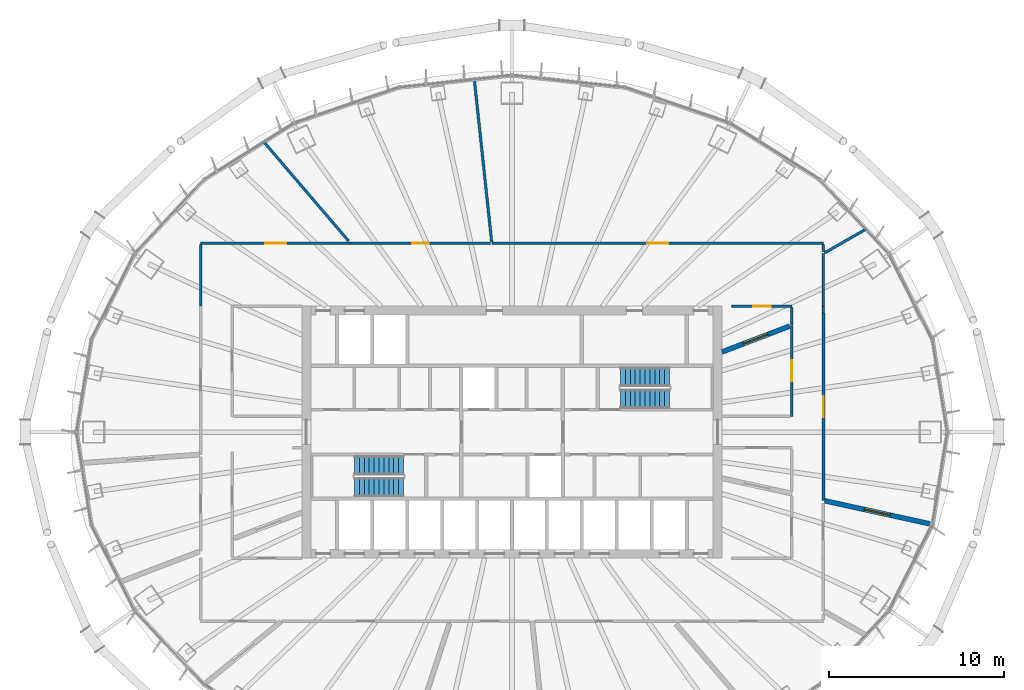
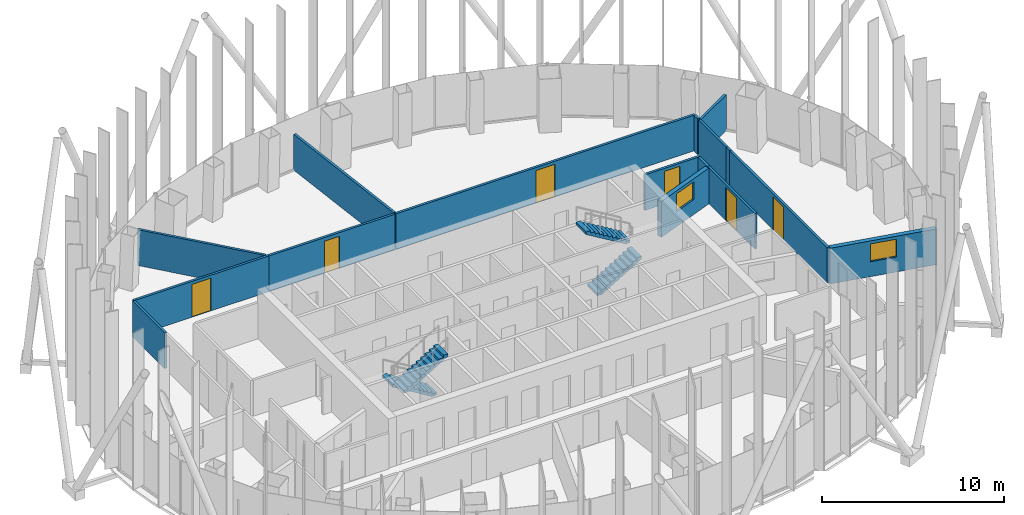
# One storey, part 11 of 19: 16 walls, 6 doors, 4 stair flights, 2 windows, 8 openings, 2 elements without a shape of their own.
"""IFC4 building model written with IfcOpenShell, lengths in metres."""

from ifc_helpers import new_model, si_unit, direction, frame, frame_2d, origin, place, context, subcontext, project, spatial, polyline, rectangle, outline, extrude, material, layer, layer_set, type_object, element, fill, aggregate, save


model = new_model("IFC4")

# Units and contexts
model_context = context("Model", 3, precision=1e-05, world=origin(), true_north=direction((0.0, 1.0)))
body_context = subcontext(model_context, "Body", "Model", "MODEL_VIEW")
ifc_project = project(units=[si_unit("LENGTHUNIT", "METRE"), si_unit("AREAUNIT", "SQUARE_METRE"), si_unit("VOLUMEUNIT", "CUBIC_METRE"), si_unit("PLANEANGLEUNIT", "RADIAN"), si_unit("MASSUNIT", "GRAM", prefix="KILO")], contexts=[model_context])

# Site, building, storey
site_placement = place(None, origin())
site = spatial("IfcSite", under=ifc_project, at=site_placement, CompositionType="ELEMENT")
building_placement = place(site_placement, origin())
building = spatial("IfcBuilding", under=site, at=building_placement, Name="Siaravel Broadcast Tower", CompositionType="ELEMENT")
storey_placement = place(building_placement, frame((0.0, 0.0, 130.39990234375)))
storey = spatial("IfcBuildingStorey", under=building, at=storey_placement, Name="L31", CompositionType="ELEMENT", Elevation=130.39990234375)

# Wall, opening, window
ifc_material_1 = material(Name="Double-leaf acoustic partition", Category="gypsum")
ifc_layer_1 = layer(ifc_material_1, 0.280029296875)
ifc_layer_set_1 = layer_set([ifc_layer_1], Name="Double-leaf acoustic partition")
wall_type_1 = type_object("IfcWallType", Name="Acoustic double-leaf wall 280", PredefinedType="PARTITIONING", material=ifc_layer_set_1)
wall_1_placement = place(storey_placement, frame((23.8720703125, -5.2373046875, 0.0), z_axis=(0.0, 0.0, 1.0), x_axis=(-0.976758154, 0.214344371, 0.0)))
wall_1 = element("IfcWall", 1, at=wall_1_placement, inside=storey, type_object=wall_type_1, Name="L31 partition 16", PredefinedType="PARTITIONING", context=body_context, shape_type="SweptSolid", body=[
    extrude(rectangle(XDim=6.13916015625, YDim=0.280029296875, at=frame_2d((3.069580078125, 0.0))), origin(), (0.0, 0.0, 1.0), 2.400146484375),
])
opening_1_placement = place(wall_1_placement, frame((2.319580078125, 0.0, 1.0)))
opening_1 = element("IfcOpeningElement", 2, at=opening_1_placement, cuts=wall_1, Name="Opening L31-W07", PredefinedType="OPENING", context=body_context, shape_type="SweptSolid", body=[
    extrude(rectangle(XDim=1.5, YDim=1.199951171875, at=frame_2d((0.75, 0.60009765625))), frame((0.0, 0.14990234375, 0.0), z_axis=(0.0, -1.0, 0.0), x_axis=(1.0, 0.0, 0.0)), (0.0, 0.0, 1.0), 0.300048828125),
])
ifc_material_2 = material(Name="Laminated acoustic glass", Category="glass")
window_type = type_object("IfcWindowType", Name="Studio viewing window 1500", PartitioningType="SINGLE_PANEL", PredefinedType="WINDOW", material=ifc_material_2)
window_1_placement = place(opening_1_placement, origin())
window_1 = element("IfcWindow", 3, at=window_1_placement, inside=storey, type_object=window_type, Name="L31 viewing window to Viewing theatre", OverallHeight=1.199951171875, OverallWidth=1.5, PartitioningType="SINGLE_PANEL", PredefinedType="WINDOW", context=body_context, shape_type="SweptSolid", body=[
    extrude(rectangle(XDim=1.5, YDim=1.199951171875, at=frame_2d((0.75, 0.60009765625))), frame((0.0, 0.030029296875, 0.0), z_axis=(0.0, -1.0, 0.0), x_axis=(1.0, 0.0, 0.0)), (0.0, 0.0, 1.0), 0.06005859375),
])
fill(opening_1, window_1)

wall_2_placement = place(storey_placement, frame((15.873291015625, 6.06298828125, 0.0), z_axis=(0.0, 0.0, 1.0), x_axis=(-0.934170215, -0.356827703, 0.0)))
wall_2 = element("IfcWall", 4, at=wall_2_placement, inside=storey, type_object=wall_type_1, Name="L31 partition 25", PredefinedType="PARTITIONING", context=body_context, shape_type="SweptSolid", body=[
    extrude(rectangle(XDim=4.146240234375, YDim=0.280029296875, at=frame_2d((2.0732421875, 0.0))), origin(), (0.0, 0.0, 1.0), 2.400146484375),
])
opening_2_placement = place(wall_2_placement, frame((1.322998046875, 0.0, 1.0)))
opening_2 = element("IfcOpeningElement", 5, at=opening_2_placement, cuts=wall_2, Name="Opening L31-W08", PredefinedType="OPENING", context=body_context, shape_type="SweptSolid", body=[
    extrude(rectangle(XDim=1.5, YDim=1.199951171875, at=frame_2d((0.75, 0.60009765625))), frame((0.0, 0.14990234375, 0.0), z_axis=(0.0, -1.0, 0.0), x_axis=(1.0, 0.0, 0.0)), (0.0, 0.0, 1.0), 0.300048828125),
])
window_2_placement = place(opening_2_placement, origin())
window_2 = element("IfcWindow", 6, at=window_2_placement, inside=storey, type_object=window_type, Name="L31 viewing window to Post-production room", OverallHeight=1.199951171875, OverallWidth=1.5, PartitioningType="SINGLE_PANEL", PredefinedType="WINDOW", context=body_context, shape_type="SweptSolid", body=[
    extrude(rectangle(XDim=1.5, YDim=1.199951171875, at=frame_2d((0.75, 0.60009765625))), frame((0.0, 0.030029296875, 0.0), z_axis=(0.0, -1.0, 0.0), x_axis=(1.0, 0.0, 0.0)), (0.0, 0.0, 1.0), 0.06005859375),
])
fill(opening_2, window_2)

# Wall, opening, door
ifc_material_3 = material(Name="Gypsum board partition", Category="gypsum")
ifc_layer_2 = layer(ifc_material_3, 0.14990234375)
ifc_layer_set_2 = layer_set([ifc_layer_2], Name="Gypsum board partition")
wall_type_2 = type_object("IfcWallType", Name="Corridor wall 150", PredefinedType="PARTITIONING", material=ifc_layer_set_2)
wall_3_placement = place(storey_placement, frame((17.800048828125, 10.800048828125, 0.0), z_axis=(0.0, 0.0, 1.0), x_axis=(-1.0, 0.0, 0.0)))
wall_3 = element("IfcWall", 7, at=wall_3_placement, inside=storey, type_object=wall_type_2, Name="L31 partition 1", PredefinedType="PARTITIONING", context=body_context, shape_type="SweptSolid", body=[
    extrude(rectangle(XDim=18.95361328125, YDim=0.14990234375, at=frame_2d((9.476806640625, 0.0))), origin(), (0.0, 0.0, 1.0), 2.400146484375),
])
opening_3_placement = place(wall_3_placement, frame((8.876708984375, 0.0, 0.0)))
opening_3 = element("IfcOpeningElement", 8, at=opening_3_placement, cuts=wall_3, Name="Opening L31-001", PredefinedType="OPENING", context=body_context, shape_type="SweptSolid", body=[
    extrude(rectangle(XDim=1.199951171875, YDim=2.199951171875, at=frame_2d((0.60009765625, 1.10009765625))), frame((0.0, 0.0849609375, 0.0), z_axis=(0.0, -1.0, 0.0), x_axis=(1.0, 0.0, 0.0)), (0.0, 0.0, 1.0), 0.169921875),
])
ifc_material_4 = material(Name="Timber veneer", Category="wood")
door_type_1 = type_object("IfcDoorType", Name="Office double door 1200", OperationType="DOUBLE_DOOR_SINGLE_SWING", PredefinedType="DOOR", material=ifc_material_4)
door_1_placement = place(opening_3_placement, origin())
door_1 = element("IfcDoor", 9, at=door_1_placement, inside=storey, type_object=door_type_1, Name="L31 door to Open plan production office", OperationType="DOUBLE_DOOR_SINGLE_SWING", OverallHeight=2.199951171875, OverallWidth=1.199951171875, PredefinedType="DOOR", context=body_context, shape_type="SweptSolid", body=[
    extrude(rectangle(XDim=1.199951171875, YDim=2.199951171875, at=frame_2d((0.60009765625, 1.10009765625))), frame((0.0, 0.02490234375, 0.0), z_axis=(0.0, -1.0, 0.0), x_axis=(1.0, 0.0, 0.0)), (0.0, 0.0, 1.0), 0.050048828125),
])
fill(opening_3, door_1)

wall_4_placement = place(storey_placement, frame((17.802001953125, -3.9052734375, 0.0), z_axis=(0.0, 0.0, 1.0), x_axis=(0.0, 1.0, 0.0)))
wall_4 = element("IfcWall", 10, at=wall_4_placement, inside=storey, type_object=wall_type_2, Name="L31 partition 2", PredefinedType="PARTITIONING", context=body_context, shape_type="SweptSolid", body=[
    extrude(rectangle(XDim=10.705078125, YDim=0.14990234375, at=frame_2d((5.3525390625, 0.0))), origin(), (0.0, 0.0, 1.0), 2.400146484375),
])
opening_4_placement = place(wall_4_placement, frame((4.75244140625, 0.0, 0.0)))
opening_4 = element("IfcOpeningElement", 11, at=opening_4_placement, cuts=wall_4, Name="Opening L31-018", PredefinedType="OPENING", context=body_context, shape_type="SweptSolid", body=[
    extrude(rectangle(XDim=1.199951171875, YDim=2.199951171875, at=frame_2d((0.60009765625, 1.10009765625))), frame((0.0, 0.0849609375, 0.0), z_axis=(0.0, -1.0, 0.0), x_axis=(1.0, 0.0, 0.0)), (0.0, 0.0, 1.0), 0.169921875),
])
door_2_placement = place(opening_4_placement, origin())
door_2 = element("IfcDoor", 12, at=door_2_placement, inside=storey, type_object=door_type_1, Name="L31 door to Open plan production office", OperationType="DOUBLE_DOOR_SINGLE_SWING", OverallHeight=2.199951171875, OverallWidth=1.199951171875, PredefinedType="DOOR", context=body_context, shape_type="SweptSolid", body=[
    extrude(rectangle(XDim=1.199951171875, YDim=2.199951171875, at=frame_2d((0.60009765625, 1.10009765625))), frame((0.0, 0.02490234375, 0.0), z_axis=(0.0, -1.0, 0.0), x_axis=(1.0, 0.0, 0.0)), (0.0, 0.0, 1.0), 0.050048828125),
])
fill(opening_4, door_2)

wall_5_placement = place(storey_placement, frame((-9.232177734375, 10.800048828125, 0.0), z_axis=(0.0, 0.0, 1.0), x_axis=(-1.0, 0.0, 0.0)))
wall_5 = element("IfcWall", 13, at=wall_5_placement, inside=storey, type_object=wall_type_2, Name="L31 partition 7", PredefinedType="PARTITIONING", context=body_context, shape_type="SweptSolid", body=[
    extrude(rectangle(XDim=8.56787109375, YDim=0.14990234375, at=frame_2d((4.283935546875, 0.0))), origin(), (0.0, 0.0, 1.0), 2.400146484375),
])
opening_5_placement = place(wall_5_placement, frame((3.683837890625, 0.0, 0.0)))
opening_5 = element("IfcOpeningElement", 14, at=opening_5_placement, cuts=wall_5, Name="Opening L31-003", PredefinedType="OPENING", context=body_context, shape_type="SweptSolid", body=[
    extrude(rectangle(XDim=1.199951171875, YDim=2.199951171875, at=frame_2d((0.60009765625, 1.10009765625))), frame((0.0, 0.0849609375, 0.0), z_axis=(0.0, -1.0, 0.0), x_axis=(1.0, 0.0, 0.0)), (0.0, 0.0, 1.0), 0.169921875),
])
door_3_placement = place(opening_5_placement, origin())
door_3 = element("IfcDoor", 15, at=door_3_placement, inside=storey, type_object=door_type_1, Name="L31 door to Open plan production office", OperationType="DOUBLE_DOOR_SINGLE_SWING", OverallHeight=2.199951171875, OverallWidth=1.199951171875, PredefinedType="DOOR", context=body_context, shape_type="SweptSolid", body=[
    extrude(rectangle(XDim=1.199951171875, YDim=2.199951171875, at=frame_2d((0.60009765625, 1.10009765625))), frame((0.0, 0.02490234375, 0.0), z_axis=(0.0, -1.0, 0.0), x_axis=(1.0, 0.0, 0.0)), (0.0, 0.0, 1.0), 0.050048828125),
])
fill(opening_5, door_3)

wall_6_placement = place(storey_placement, frame((-1.239013671875, 10.800048828125, 0.0), z_axis=(0.0, 0.0, 1.0), x_axis=(-1.0, 0.0, 0.0)))
wall_6 = element("IfcWall", 16, at=wall_6_placement, inside=storey, type_object=wall_type_2, Name="L31 partition 10", PredefinedType="PARTITIONING", context=body_context, shape_type="SweptSolid", body=[
    extrude(rectangle(XDim=7.9921875, YDim=0.14990234375, at=frame_2d((3.99609375, 0.0))), origin(), (0.0, 0.0, 1.0), 2.400146484375),
])
opening_6_placement = place(wall_6_placement, frame((3.52099609375, 0.0, 0.0)))
opening_6 = element("IfcOpeningElement", 17, at=opening_6_placement, cuts=wall_6, Name="Opening L31-002", PredefinedType="OPENING", context=body_context, shape_type="SweptSolid", body=[
    extrude(rectangle(XDim=0.949951171875, YDim=2.14990234375, at=frame_2d((0.47509765625, 1.074951171875))), frame((0.0, 0.0849609375, 0.0), z_axis=(0.0, -1.0, 0.0), x_axis=(1.0, 0.0, 0.0)), (0.0, 0.0, 1.0), 0.169921875),
])
door_type_2 = type_object("IfcDoorType", Name="Office door 950", OperationType="SINGLE_SWING_LEFT", PredefinedType="DOOR", material=ifc_material_4)
door_4_placement = place(opening_6_placement, origin())
door_4 = element("IfcDoor", 18, at=door_4_placement, inside=storey, type_object=door_type_2, Name="L31 door to Design studio", OperationType="SINGLE_SWING_RIGHT", OverallHeight=2.14990234375, OverallWidth=0.949951171875, PredefinedType="DOOR", context=body_context, shape_type="SweptSolid", body=[
    extrude(rectangle(XDim=0.949951171875, YDim=2.14990234375, at=frame_2d((0.47509765625, 1.074951171875))), frame((0.0, 0.02490234375, 0.0), z_axis=(0.0, -1.0, 0.0), x_axis=(1.0, 0.0, 0.0)), (0.0, 0.0, 1.0), 0.050048828125),
])
fill(opening_6, door_4)

wall_7_placement = place(storey_placement, frame((16.0, 6.111328125, 0.0), z_axis=(0.0, 0.0, 1.0), x_axis=(0.0, -1.0, 0.0)))
wall_7 = element("IfcWall", 19, at=wall_7_placement, inside=storey, type_object=wall_type_2, Name="L31 partition 19", PredefinedType="PARTITIONING", context=body_context, shape_type="SweptSolid", body=[
    extrude(rectangle(XDim=5.21142578125, YDim=0.14990234375, at=frame_2d((2.605712890625, 0.0))), origin(), (0.0, 0.0, 1.0), 2.400146484375),
])
opening_7_placement = place(wall_7_placement, frame((2.005615234375, 0.0, 0.0)))
opening_7 = element("IfcOpeningElement", 20, at=opening_7_placement, cuts=wall_7, Name="Opening L31-016", PredefinedType="OPENING", context=body_context, shape_type="SweptSolid", body=[
    extrude(rectangle(XDim=1.199951171875, YDim=2.199951171875, at=frame_2d((0.60009765625, 1.10009765625))), frame((0.0, 0.0849609375, 0.0), z_axis=(0.0, -1.0, 0.0), x_axis=(1.0, 0.0, 0.0)), (0.0, 0.0, 1.0), 0.169921875),
])
door_5_placement = place(opening_7_placement, origin())
door_5 = element("IfcDoor", 21, at=door_5_placement, inside=storey, type_object=door_type_1, Name="L31 door to Open plan production office", OperationType="DOUBLE_DOOR_SINGLE_SWING", OverallHeight=2.199951171875, OverallWidth=1.199951171875, PredefinedType="DOOR", context=body_context, shape_type="SweptSolid", body=[
    extrude(rectangle(XDim=1.199951171875, YDim=2.199951171875, at=frame_2d((0.60009765625, 1.10009765625))), frame((0.0, 0.02490234375, 0.0), z_axis=(0.0, -1.0, 0.0), x_axis=(1.0, 0.0, 0.0)), (0.0, 0.0, 1.0), 0.050048828125),
])
fill(opening_7, door_5)

# Wall
wall_8_placement = place(storey_placement, frame((-17.800048828125, 10.722900390625, 0.0), z_axis=(0.0, 0.0, 1.0), x_axis=(0.0, -1.0, 0.0)))
element("IfcWall", 22, at=wall_8_placement, inside=storey, type_object=wall_type_2, Name="L31 partition 34", PredefinedType="PARTITIONING", context=body_context, shape_type="SweptSolid", body=[
    extrude(rectangle(XDim=3.510009765625, YDim=0.14990234375, at=frame_2d((1.7548828125, 0.0))), origin(), (0.0, 0.0, 1.0), 2.400146484375),
])

# Wall, opening, door
wall_9_placement = place(storey_placement, frame((12.553466796875, 7.199951171875, 0.0), z_axis=(0.0, 0.0, 1.0), x_axis=(1.0, 0.0, 0.0)))
wall_9 = element("IfcWall", 23, at=wall_9_placement, inside=storey, type_object=wall_type_2, Name="L31 partition 35", PredefinedType="PARTITIONING", context=body_context, shape_type="SweptSolid", body=[
    extrude(rectangle(XDim=3.446533203125, YDim=0.14990234375, at=frame_2d((1.72314453125, 0.0))), origin(), (0.0, 0.0, 1.0), 2.400146484375),
])
opening_8_placement = place(wall_9_placement, frame((1.223388671875, 0.0, 0.0)))
opening_8 = element("IfcOpeningElement", 24, at=opening_8_placement, cuts=wall_9, Name="Opening L31-019", PredefinedType="OPENING", context=body_context, shape_type="SweptSolid", body=[
    extrude(rectangle(XDim=1.0, YDim=2.199951171875, at=frame_2d((0.5, 1.10009765625))), frame((0.0, 0.0849609375, 0.0), z_axis=(0.0, -1.0, 0.0), x_axis=(1.0, 0.0, 0.0)), (0.0, 0.0, 1.0), 0.169921875),
])
ifc_material_5 = material(Name="Acoustic timber and steel", Category="steel")
door_type_3 = type_object("IfcDoorType", Name="Acoustic door 1000", OperationType="SINGLE_SWING_LEFT", PredefinedType="DOOR", material=ifc_material_5)
door_6_placement = place(opening_8_placement, origin())
door_6 = element("IfcDoor", 25, at=door_6_placement, inside=storey, type_object=door_type_3, Name="L31 door to Post-production room", OperationType="SINGLE_SWING_LEFT", OverallHeight=2.199951171875, OverallWidth=1.0, PredefinedType="DOOR", context=body_context, shape_type="SweptSolid", body=[
    extrude(rectangle(XDim=1.0, YDim=2.199951171875, at=frame_2d((0.5, 1.10009765625))), frame((0.0, 0.02490234375, 0.0), z_axis=(0.0, -1.0, 0.0), x_axis=(1.0, 0.0, 0.0)), (0.0, 0.0, 1.0), 0.050048828125),
])
fill(opening_8, door_6)

# Walls
wall_10_placement = place(storey_placement, frame((17.800048828125, 7.18798828125, 0.0), z_axis=(0.0, 0.0, 1.0), x_axis=(0.0, 1.0, 0.0)))
element("IfcWall", 26, at=wall_10_placement, inside=storey, type_object=wall_type_2, Name="L31 partition 39", PredefinedType="PARTITIONING", context=body_context, shape_type="SweptSolid", body=[
    extrude(rectangle(XDim=3.021240234375, YDim=0.14990234375, at=frame_2d((1.5107421875, 0.0))), origin(), (0.0, 0.0, 1.0), 2.400146484375),
])
wall_11_placement = place(storey_placement, frame((16.0, 7.123046875, 0.0), z_axis=(0.0, 0.0, 1.0), x_axis=(0.0, -1.0, 0.0)))
element("IfcWall", 27, at=wall_11_placement, inside=storey, type_object=wall_type_2, Name="L31 partition 44", PredefinedType="PARTITIONING", context=body_context, shape_type="SweptSolid", body=[
    extrude(rectangle(XDim=1.0107421875, YDim=0.14990234375, at=frame_2d((0.50537109375, 0.0))), origin(), (0.0, 0.0, 1.0), 2.400146484375),
])
wall_12_placement = place(storey_placement, frame((17.800048828125, 10.3408203125, 0.0), z_axis=(0.0, 0.0, 1.0), x_axis=(0.0, 1.0, 0.0)))
element("IfcWall", 28, at=wall_12_placement, inside=storey, type_object=wall_type_2, Name="L31 partition 46", PredefinedType="PARTITIONING", context=body_context, shape_type="SweptSolid", body=[
    extrude(rectangle(XDim=0.382080078125, YDim=0.14990234375, at=frame_2d((0.19091796875, 0.0))), origin(), (0.0, 0.0, 1.0), 2.400146484375),
])
wall_13_placement = place(storey_placement, frame((17.800048828125, 6.798828125, 0.0), z_axis=(0.0, 0.0, 1.0), x_axis=(0.0, 1.0, 0.0)))
element("IfcWall", 29, at=wall_13_placement, inside=storey, type_object=wall_type_2, Name="L31 partition 48", PredefinedType="PARTITIONING", context=body_context, shape_type="SweptSolid", body=[
    extrude(rectangle(XDim=0.38818359375, YDim=0.14990234375, at=frame_2d((0.194091796875, 0.0))), origin(), (0.0, 0.0, 1.0), 2.400146484375),
])
ifc_layer_3 = layer(ifc_material_3, 0.14990234375)
ifc_layer_set_3 = layer_set([ifc_layer_3], Name="Gypsum board partition")
wall_type_3 = type_object("IfcWallType", Name="Room partition 150", PredefinedType="PARTITIONING", material=ifc_layer_set_3)
wall_14_placement = place(storey_placement, frame((-2.152099609375, 20.147705078125, 0.0), z_axis=(0.0, 0.0, 1.0), x_axis=(0.106226181, -0.994341993, 0.0)))
element("IfcWall", 30, at=wall_14_placement, inside=storey, type_object=wall_type_3, Name="L31 partition 4", PredefinedType="PARTITIONING", context=body_context, shape_type="SweptSolid", body=[
    extrude(rectangle(XDim=9.32421875, YDim=0.14990234375, at=frame_2d((4.662109375, 0.0))), origin(), (0.0, 0.0, 1.0), 2.400146484375),
])
wall_15_placement = place(storey_placement, frame((-14.1669921875, 16.572998046875, 0.0), z_axis=(0.0, 0.0, 1.0), x_axis=(0.64976247, -0.760137312, 0.0)))
element("IfcWall", 31, at=wall_15_placement, inside=storey, type_object=wall_type_3, Name="L31 partition 12", PredefinedType="PARTITIONING", context=body_context, shape_type="SweptSolid", body=[
    extrude(rectangle(XDim=7.429931640625, YDim=0.14990234375, at=frame_2d((3.71484375, 0.0))), origin(), (0.0, 0.0, 1.0), 2.400146484375),
])
wall_16_placement = place(storey_placement, frame((17.858154296875, 10.24267578125, 0.0), z_axis=(0.0, 0.0, 1.0), x_axis=(0.867454205, 0.497517037, 0.0)))
element("IfcWall", 32, at=wall_16_placement, inside=storey, type_object=wall_type_3, Name="L31 partition 40", PredefinedType="PARTITIONING", context=body_context, shape_type="SweptSolid", body=[
    extrude(rectangle(XDim=2.74609375, YDim=0.14990234375, at=frame_2d((1.373046875, 0.0))), origin(), (0.0, 0.0, 1.0), 2.400146484375),
])

# Stair, stair flights
ifc_material_6 = material(Name="Concrete C40/50", Category="concrete")
stair_type = type_object("IfcStairType", Name="Core exit stair", PredefinedType="HALF_TURN_STAIR", material=ifc_material_6)
stair_1_placement = place(storey_placement, origin())
stair_1 = element("IfcStair", 33, at=stair_1_placement, inside=storey, type_object=stair_type, Name="L31 Exit stair ST-1", PredefinedType="HALF_TURN_STAIR")
stair_flight_type = type_object("IfcStairFlightType", Name="Stair flight 1100", PredefinedType="STRAIGHT", material=ifc_material_6)
stair_flight_1_placement = place(storey_placement, frame((-6.199951171875, -1.89990234375, 0.0), z_axis=(0.0, 0.0, 1.0), x_axis=(-1.0, 0.0, 0.0)))
stair_flight_1 = element("IfcStairFlight", 34, at=stair_flight_1_placement, type_object=stair_flight_type, Name="ST-1 flight 1", NumberOfRisers=11, NumberOfTreads=10, PredefinedType="STRAIGHT", RiserHeight=0.1681818, TreadLength=0.28, context=body_context, shape_type="SweptSolid", body=[
    extrude(outline(polyline([(0.0, 0.0), (0.0, 0.168212890625), (0.280029296875, 0.168212890625), (0.280029296875, 0.33642578125), (0.56005859375, 0.33642578125), (0.56005859375, 0.504638671875), (0.840087890625, 0.504638671875), (0.840087890625, 0.672607421875), (1.1201171875, 0.672607421875), (1.1201171875, 0.8408203125), (1.39990234375, 0.8408203125), (1.39990234375, 1.009033203125), (1.679931640625, 1.009033203125), (1.679931640625, 1.17724609375), (1.9599609375, 1.17724609375), (1.9599609375, 1.345458984375), (2.239990234375, 1.345458984375), (2.239990234375, 1.513671875), (2.52001953125, 1.513671875), (2.52001953125, 1.681884765625), (2.800048828125, 1.681884765625), (2.800048828125, 1.85009765625), (2.800048828125, 1.5068359375), (0.291015625, 0.0), (0.0, 0.0)])), frame((0.0, 0.550048828125, 0.0), z_axis=(0.0, -1.0, 0.0), x_axis=(1.0, 0.0, 0.0)), (0.0, 0.0, 1.0), 1.10009765625),
])
stair_flight_2_placement = place(storey_placement, frame((-9.0, -3.14990234375, 1.85009765625), z_axis=(0.0, 0.0, 1.0), x_axis=(1.0, 0.0, 0.0)))
stair_flight_2 = element("IfcStairFlight", 35, at=stair_flight_2_placement, type_object=stair_flight_type, Name="ST-1 flight 2", NumberOfRisers=11, NumberOfTreads=10, PredefinedType="STRAIGHT", RiserHeight=0.1681818, TreadLength=0.28, context=body_context, shape_type="SweptSolid", body=[
    extrude(outline(polyline([(0.0, 0.0), (0.0, 0.168212890625), (0.280029296875, 0.168212890625), (0.280029296875, 0.33642578125), (0.56005859375, 0.33642578125), (0.56005859375, 0.504638671875), (0.840087890625, 0.504638671875), (0.840087890625, 0.672607421875), (1.1201171875, 0.672607421875), (1.1201171875, 0.8408203125), (1.39990234375, 0.8408203125), (1.39990234375, 1.009033203125), (1.679931640625, 1.009033203125), (1.679931640625, 1.17724609375), (1.9599609375, 1.17724609375), (1.9599609375, 1.345458984375), (2.239990234375, 1.345458984375), (2.239990234375, 1.513671875), (2.52001953125, 1.513671875), (2.52001953125, 1.681884765625), (2.800048828125, 1.681884765625), (2.800048828125, 1.85009765625), (2.800048828125, 1.5068359375), (0.291015625, 0.0), (0.0, 0.0)])), frame((0.0, 0.550048828125, 0.0), z_axis=(0.0, -1.0, 0.0), x_axis=(1.0, 0.0, 0.0)), (0.0, 0.0, 1.0), 1.10009765625),
])
aggregate(stair_1, [stair_flight_1, stair_flight_2])

stair_2_placement = place(storey_placement, origin())
stair_2 = element("IfcStair", 36, at=stair_2_placement, inside=storey, type_object=stair_type, Name="L31 Exit stair ST-2", PredefinedType="HALF_TURN_STAIR")
stair_flight_3_placement = place(storey_placement, frame((6.199951171875, 1.89990234375, 0.0), z_axis=(0.0, 0.0, 1.0), x_axis=(1.0, 0.0, 0.0)))
stair_flight_3 = element("IfcStairFlight", 37, at=stair_flight_3_placement, type_object=stair_flight_type, Name="ST-2 flight 1", NumberOfRisers=11, NumberOfTreads=10, PredefinedType="STRAIGHT", RiserHeight=0.1681818, TreadLength=0.28, context=body_context, shape_type="SweptSolid", body=[
    extrude(outline(polyline([(0.0, 0.0), (0.0, 0.168212890625), (0.280029296875, 0.168212890625), (0.280029296875, 0.33642578125), (0.56005859375, 0.33642578125), (0.56005859375, 0.504638671875), (0.840087890625, 0.504638671875), (0.840087890625, 0.672607421875), (1.1201171875, 0.672607421875), (1.1201171875, 0.8408203125), (1.39990234375, 0.8408203125), (1.39990234375, 1.009033203125), (1.679931640625, 1.009033203125), (1.679931640625, 1.17724609375), (1.9599609375, 1.17724609375), (1.9599609375, 1.345458984375), (2.239990234375, 1.345458984375), (2.239990234375, 1.513671875), (2.52001953125, 1.513671875), (2.52001953125, 1.681884765625), (2.800048828125, 1.681884765625), (2.800048828125, 1.85009765625), (2.800048828125, 1.5068359375), (0.291015625, 0.0), (0.0, 0.0)])), frame((0.0, 0.550048828125, 0.0), z_axis=(0.0, -1.0, 0.0), x_axis=(1.0, 0.0, 0.0)), (0.0, 0.0, 1.0), 1.10009765625),
])
stair_flight_4_placement = place(storey_placement, frame((9.0, 3.14990234375, 1.85009765625), z_axis=(0.0, 0.0, 1.0), x_axis=(-1.0, 0.0, 0.0)))
stair_flight_4 = element("IfcStairFlight", 38, at=stair_flight_4_placement, type_object=stair_flight_type, Name="ST-2 flight 2", NumberOfRisers=11, NumberOfTreads=10, PredefinedType="STRAIGHT", RiserHeight=0.1681818, TreadLength=0.28, context=body_context, shape_type="SweptSolid", body=[
    extrude(outline(polyline([(0.0, 0.0), (0.0, 0.168212890625), (0.280029296875, 0.168212890625), (0.280029296875, 0.33642578125), (0.56005859375, 0.33642578125), (0.56005859375, 0.504638671875), (0.840087890625, 0.504638671875), (0.840087890625, 0.672607421875), (1.1201171875, 0.672607421875), (1.1201171875, 0.8408203125), (1.39990234375, 0.8408203125), (1.39990234375, 1.009033203125), (1.679931640625, 1.009033203125), (1.679931640625, 1.17724609375), (1.9599609375, 1.17724609375), (1.9599609375, 1.345458984375), (2.239990234375, 1.345458984375), (2.239990234375, 1.513671875), (2.52001953125, 1.513671875), (2.52001953125, 1.681884765625), (2.800048828125, 1.681884765625), (2.800048828125, 1.85009765625), (2.800048828125, 1.5068359375), (0.291015625, 0.0), (0.0, 0.0)])), frame((0.0, 0.550048828125, 0.0), z_axis=(0.0, -1.0, 0.0), x_axis=(1.0, 0.0, 0.0)), (0.0, 0.0, 1.0), 1.10009765625),
])
aggregate(stair_2, [stair_flight_3, stair_flight_4])

save(model, "model.ifc")
